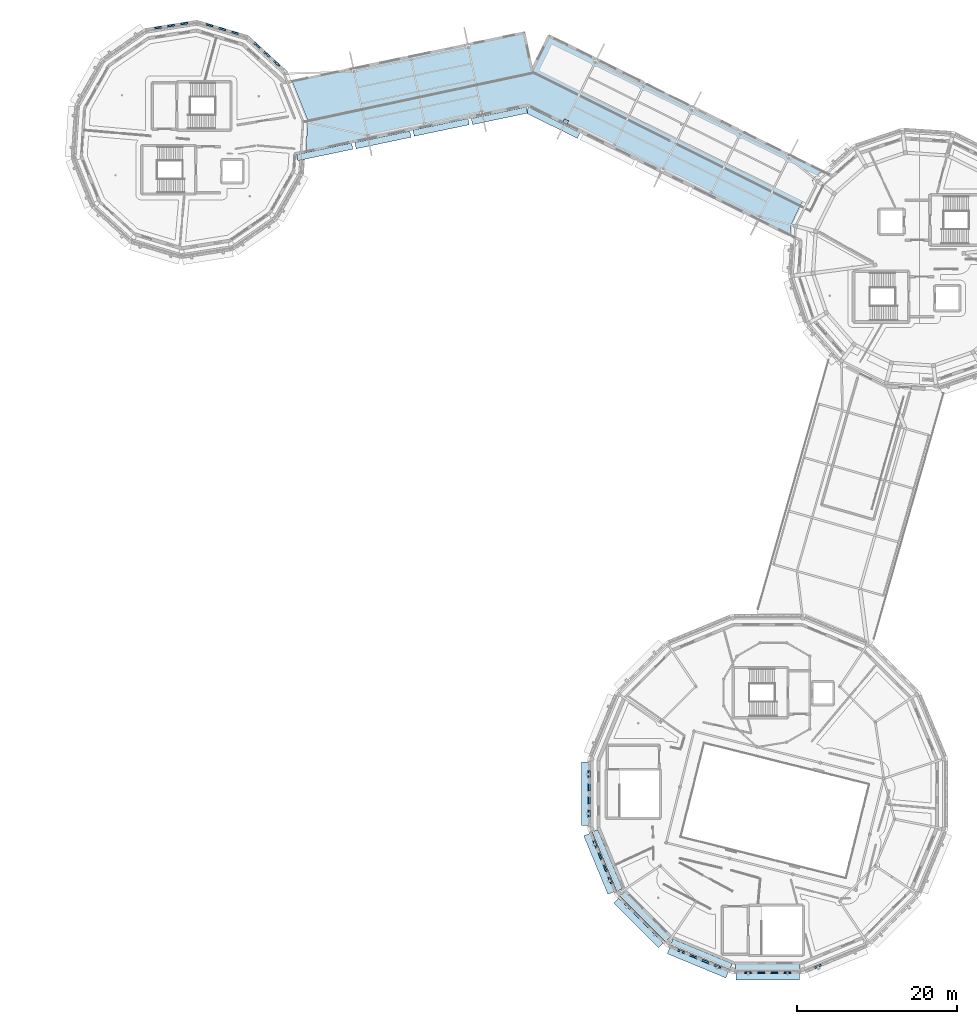
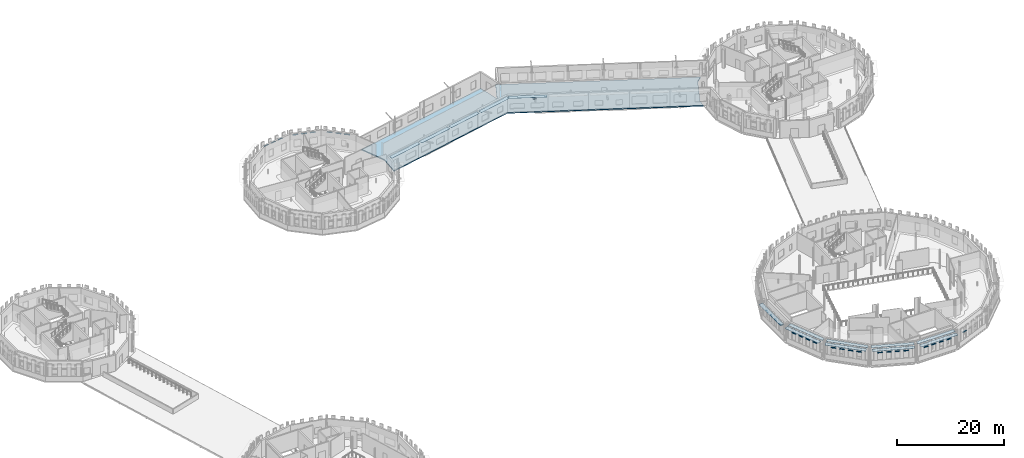
# One storey, part 26 of 68: 45 plates, 1 slab.
"""IFC4 building model written with IfcOpenShell, lengths in metres."""

from ifc_helpers import new_model, si_unit, direction, frame, origin, origin_2d, place, context, subcontext, project, spatial, polyline, rectangle, outline, extrude, material, layer, layer_set, type_object, element, save


model = new_model("IFC4")

# Units and contexts
model_context = context("Model", 3, precision=1e-05, world=origin(), true_north=direction((0.0, 1.0)))
body_context = subcontext(model_context, "Body", "Model", "MODEL_VIEW")
ifc_project = project(units=[si_unit("LENGTHUNIT", "METRE"), si_unit("AREAUNIT", "SQUARE_METRE"), si_unit("VOLUMEUNIT", "CUBIC_METRE"), si_unit("PLANEANGLEUNIT", "RADIAN"), si_unit("MASSUNIT", "GRAM", prefix="KILO")], contexts=[model_context])

# Site, building, storey
site_placement = place(None, origin())
site = spatial("IfcSite", under=ifc_project, at=site_placement, CompositionType="ELEMENT")
building_placement = place(site_placement, origin())
building = spatial("IfcBuilding", under=site, at=building_placement, Name="Wrenclough Park School", CompositionType="ELEMENT")
storey_placement = place(building_placement, frame((0.0, 0.0, 12.60009765625)))
storey = spatial("IfcBuildingStorey", under=building, at=storey_placement, Name="L03", CompositionType="ELEMENT", Elevation=12.60009765625)

# Plates
ifc_material_1 = material(Name="Anodised architectural aluminium solar shading fin plate", Category="aluminium")
ifc_layer_1 = layer(ifc_material_1, 0.0380859375)
ifc_layer_set_1 = layer_set([ifc_layer_1], Name="Anodised architectural aluminium solar shading fin plate")
plate_type_1 = type_object("IfcPlateType", Name="ENV-PL-BSF", PredefinedType="SHEET", material=ifc_layer_set_1)
for number, where, z_axis, x_axis, name in (
    (1, (133.121826171875, 28.968994140625, 2.721923828125), (0.0, 0.0, 1.0), (0.0, -1.0, 0.0), "D1 L03 open-bond brick screen tie band 0485"),
    (2, (133.121826171875, 27.322998046875, 2.721923828125), (0.0, 0.0, 1.0), (0.0, -1.0, 0.0), "D1 L03 open-bond brick screen tie band 0486"),
    (3, (133.121826171875, 25.677001953125, 2.721923828125), (0.0, 0.0, 1.0), (0.0, -1.0, 0.0), "D1 L03 open-bond brick screen tie band 0487"),
    (4, (133.121826171875, 24.031005859375, 2.721923828125), (0.0, 0.0, 1.0), (0.0, -1.0, 0.0), "D1 L03 open-bond brick screen tie band 0488"),
):
    element("IfcPlate", number, at=place(storey_placement, frame(where, z_axis=z_axis, x_axis=x_axis)), inside=storey, type_object=plate_type_1, Name=name, PredefinedType="SHEET", context=body_context, shape_type="SweptSolid", body=[
        extrude(rectangle(XDim=1.0048828125, YDim=0.219970703125, at=origin_2d()), origin(), (0.0, 0.0, 1.0), 0.0419921875),
    ])
plate_1_placement = place(storey_placement, frame((132.6044921875, 26.5, 3.700927734375), z_axis=(0.0, 0.0, 1.0), x_axis=(0.0, -1.0, 0.0)))
element("IfcPlate", 5, at=plate_1_placement, inside=storey, type_object=plate_type_1, Name="D1 L03 sun-side projecting brise-soleil blade 0081", PredefinedType="SHEET", context=body_context, shape_type="SweptSolid", body=[
    extrude(rectangle(XDim=7.929931640625, YDim=0.85009765625, at=origin_2d()), origin(), (0.0, 0.0, 1.0), 0.0380859375),
])
for number, where, z_axis, x_axis, name in (
    (6, (133.880615234375, 20.21728515625, 2.721923828125), (0.0, 0.0, 1.0), (0.382684471717, -0.923879101997, 0.0), "D1 L03 open-bond brick screen tie band 0489"),
    (7, (134.510498046875, 18.696533203125, 2.721923828125), (0.0, 0.0, 1.0), (0.382684471717, -0.923879101997, 0.0), "D1 L03 open-bond brick screen tie band 0490"),
    (8, (135.140380859375, 17.17578125, 2.721923828125), (0.0, 0.0, 1.0), (0.382684471717, -0.923879101997, 0.0), "D1 L03 open-bond brick screen tie band 0491"),
    (9, (135.770263671875, 15.655029296875, 2.721923828125), (0.0, 0.0, 1.0), (0.382684471717, -0.923879101997, 0.0), "D1 L03 open-bond brick screen tie band 0492"),
):
    element("IfcPlate", number, at=place(storey_placement, frame(where, z_axis=z_axis, x_axis=x_axis)), inside=storey, type_object=plate_type_1, Name=name, PredefinedType="SHEET", context=body_context, shape_type="SweptSolid", body=[
        extrude(rectangle(XDim=1.0048828125, YDim=0.219970703125, at=origin_2d()), origin(), (0.0, 0.0, 1.0), 0.0419921875),
    ])
plate_2_placement = place(storey_placement, frame((134.347412109375, 17.738037109375, 3.700927734375), z_axis=(0.0, 0.0, 1.0), x_axis=(0.382684471717, -0.923879101997, 0.0)))
element("IfcPlate", 10, at=plate_2_placement, inside=storey, type_object=plate_type_1, Name="D1 L03 sun-side projecting brise-soleil blade 0082", PredefinedType="SHEET", context=body_context, shape_type="SweptSolid", body=[
    extrude(rectangle(XDim=7.9296875, YDim=0.85009765625, at=origin_2d()), origin(), (0.0, 0.0, 1.0), 0.0380859375),
])
for number, where, z_axis, x_axis, name in (
    (11, (137.930419921875, 12.422119140625, 2.721923828125), (0.0, 0.0, 1.0), (0.707106781187, -0.707106781187, 0.0), "D1 L03 open-bond brick screen tie band 0493"),
    (12, (139.094482421875, 11.25830078125, 2.721923828125), (0.0, 0.0, 1.0), (0.707106781187, -0.707106781187, 0.0), "D1 L03 open-bond brick screen tie band 0494"),
    (13, (140.25830078125, 10.094482421875, 2.721923828125), (0.0, 0.0, 1.0), (0.707106781187, -0.707106781187, 0.0), "D1 L03 open-bond brick screen tie band 0495"),
    (14, (141.422119140625, 8.9306640625, 2.721923828125), (0.0, 0.0, 1.0), (0.707106781187, -0.707106781187, 0.0), "D1 L03 open-bond brick screen tie band 0496"),
):
    element("IfcPlate", number, at=place(storey_placement, frame(where, z_axis=z_axis, x_axis=x_axis)), inside=storey, type_object=plate_type_1, Name=name, PredefinedType="SHEET", context=body_context, shape_type="SweptSolid", body=[
        extrude(rectangle(XDim=1.0048828125, YDim=0.219970703125, at=origin_2d()), origin(), (0.0, 0.0, 1.0), 0.0419921875),
    ])
plate_3_placement = place(storey_placement, frame((139.310302734375, 10.310302734375, 3.700927734375), z_axis=(0.0, 0.0, 1.0), x_axis=(0.707106781187, -0.707106781187, 0.0)))
element("IfcPlate", 15, at=plate_3_placement, inside=storey, type_object=plate_type_1, Name="D1 L03 sun-side projecting brise-soleil blade 0083", PredefinedType="SHEET", context=body_context, shape_type="SweptSolid", body=[
    extrude(rectangle(XDim=7.9296875, YDim=0.85009765625, at=origin_2d()), origin(), (0.0, 0.0, 1.0), 0.0380859375),
])
for number, where, z_axis, x_axis, name in (
    (16, (144.655029296875, 6.770263671875, 2.721923828125), (0.0, 0.0, 1.0), (0.923879101997, -0.382684471717, 0.0), "D1 L03 open-bond brick screen tie band 0497"),
    (17, (146.17578125, 6.140380859375, 2.721923828125), (0.0, 0.0, 1.0), (0.923879101997, -0.382684471717, 0.0), "D1 L03 open-bond brick screen tie band 0498"),
    (18, (147.696533203125, 5.510498046875, 2.721923828125), (0.0, 0.0, 1.0), (0.923879101997, -0.382684471717, 0.0), "D1 L03 open-bond brick screen tie band 0499"),
    (19, (149.21728515625, 4.880615234375, 2.721923828125), (0.0, 0.0, 1.0), (0.923879101997, -0.382684471717, 0.0), "D1 L03 open-bond brick screen tie band 0500"),
):
    element("IfcPlate", number, at=place(storey_placement, frame(where, z_axis=z_axis, x_axis=x_axis)), inside=storey, type_object=plate_type_1, Name=name, PredefinedType="SHEET", context=body_context, shape_type="SweptSolid", body=[
        extrude(rectangle(XDim=1.0048828125, YDim=0.219970703125, at=origin_2d()), origin(), (0.0, 0.0, 1.0), 0.0419921875),
    ])
plate_4_placement = place(storey_placement, frame((146.738037109375, 5.347412109375, 3.700927734375), z_axis=(0.0, 0.0, 1.0), x_axis=(0.923879101997, -0.382684471717, 0.0)))
element("IfcPlate", 20, at=plate_4_placement, inside=storey, type_object=plate_type_1, Name="D1 L03 sun-side projecting brise-soleil blade 0084", PredefinedType="SHEET", context=body_context, shape_type="SweptSolid", body=[
    extrude(rectangle(XDim=7.9296875, YDim=0.85009765625, at=origin_2d()), origin(), (0.0, 0.0, 1.0), 0.0380859375),
])
for number, where, z_axis, x_axis, name in (
    (21, (153.031005859375, 4.121826171875, 2.721923828125), (0.0, 0.0, 1.0), (1.0, 0.0, 0.0), "D1 L03 open-bond brick screen tie band 0501"),
    (22, (154.677001953125, 4.121826171875, 2.721923828125), (0.0, 0.0, 1.0), (1.0, 0.0, 0.0), "D1 L03 open-bond brick screen tie band 0502"),
    (23, (156.322998046875, 4.121826171875, 2.721923828125), (0.0, 0.0, 1.0), (1.0, 0.0, 0.0), "D1 L03 open-bond brick screen tie band 0503"),
    (24, (157.968994140625, 4.121826171875, 2.721923828125), (0.0, 0.0, 1.0), (1.0, 0.0, 0.0), "D1 L03 open-bond brick screen tie band 0504"),
):
    element("IfcPlate", number, at=place(storey_placement, frame(where, z_axis=z_axis, x_axis=x_axis)), inside=storey, type_object=plate_type_1, Name=name, PredefinedType="SHEET", context=body_context, shape_type="SweptSolid", body=[
        extrude(rectangle(XDim=1.0048828125, YDim=0.219970703125, at=origin_2d()), origin(), (0.0, 0.0, 1.0), 0.0419921875),
    ])
plate_5_placement = place(storey_placement, frame((155.5, 3.6044921875, 3.700927734375), z_axis=(0.0, 0.0, 1.0), x_axis=(1.0, 0.0, 0.0)))
element("IfcPlate", 25, at=plate_5_placement, inside=storey, type_object=plate_type_1, Name="D1 L03 sun-side projecting brise-soleil blade 0085", PredefinedType="SHEET", context=body_context, shape_type="SweptSolid", body=[
    extrude(rectangle(XDim=7.929931640625, YDim=0.85009765625, at=origin_2d()), origin(), (0.0, 0.0, 1.0), 0.0380859375),
])
plate_6_placement = place(storey_placement, frame((161.78271484375, 4.880615234375, 2.721923828125), z_axis=(0.0, 0.0, 1.0), x_axis=(0.923879101997, 0.382684471717, 0.0)))
element("IfcPlate", 26, at=plate_6_placement, inside=storey, type_object=plate_type_1, Name="D1 L03 open-bond brick screen tie band 0505", PredefinedType="SHEET", context=body_context, shape_type="SweptSolid", body=[
    extrude(rectangle(XDim=1.0048828125, YDim=0.219970703125, at=origin_2d()), origin(), (0.0, 0.0, 1.0), 0.0419921875),
])
plate_7_placement = place(storey_placement, frame((93.976806640625, 118.035400390625, 2.721923828125), z_axis=(0.0, 0.0, 1.0), x_axis=(-0.738122161547, 0.674667084296, 0.0)))
element("IfcPlate", 27, at=plate_7_placement, inside=storey, type_object=plate_type_1, Name="D4 L03 open-bond brick screen tie band 0593", PredefinedType="SHEET", context=body_context, shape_type="SweptSolid", body=[
    extrude(rectangle(XDim=1.01806640625, YDim=0.219970703125, at=origin_2d()), origin(), (0.0, 0.0, 1.0), 0.0419921875),
])
plate_8_placement = place(storey_placement, frame((92.744873046875, 119.161376953125, 2.721923828125), z_axis=(0.0, 0.0, 1.0), x_axis=(-0.738122161547, 0.674667084296, 0.0)))
element("IfcPlate", 28, at=plate_8_placement, inside=storey, type_object=plate_type_1, Name="D4 L03 open-bond brick screen tie band 0594", PredefinedType="SHEET", context=body_context, shape_type="SweptSolid", body=[
    extrude(rectangle(XDim=1.017822265625, YDim=0.219970703125, at=origin_2d()), origin(), (0.0, 0.0, 1.0), 0.0419921875),
])
plate_9_placement = place(storey_placement, frame((91.512939453125, 120.287353515625, 2.721923828125), z_axis=(0.0, 0.0, 1.0), x_axis=(-0.738122161547, 0.674667084296, 0.0)))
element("IfcPlate", 29, at=plate_9_placement, inside=storey, type_object=plate_type_1, Name="D4 L03 open-bond brick screen tie band 0595", PredefinedType="SHEET", context=body_context, shape_type="SweptSolid", body=[
    extrude(rectangle(XDim=1.01806640625, YDim=0.219970703125, at=origin_2d()), origin(), (0.0, 0.0, 1.0), 0.0419921875),
])
for number, where, z_axis, x_axis, name in (
    (30, (88.75244140625, 121.853759765625, 2.721923828125), (0.0, 0.0, 1.0), (-0.957751215921, 0.287597997911, 0.0), "D4 L03 open-bond brick screen tie band 0596"),
    (31, (87.154052734375, 122.333740234375, 2.721923828125), (0.0, 0.0, 1.0), (-0.957751215921, 0.287597997911, 0.0), "D4 L03 open-bond brick screen tie band 0597"),
    (32, (85.5556640625, 122.813720703125, 2.721923828125), (0.0, 0.0, 1.0), (-0.957751215921, 0.287597997911, 0.0), "D4 L03 open-bond brick screen tie band 0598"),
    (33, (82.388916015625, 123.027099609375, 2.721923828125), (0.0, 0.0, 1.0), (-0.98768815471, -0.156435638666, 0.0), "D4 L03 open-bond brick screen tie band 0599"),
    (34, (80.740478515625, 122.76611328125, 2.721923828125), (0.0, 0.0, 1.0), (-0.98768815471, -0.156435638666, 0.0), "D4 L03 open-bond brick screen tie band 0600"),
    (35, (79.09228515625, 122.5048828125, 2.721923828125), (0.0, 0.0, 1.0), (-0.98768815471, -0.156435638666, 0.0), "D4 L03 open-bond brick screen tie band 0601"),
):
    element("IfcPlate", number, at=place(storey_placement, frame(where, z_axis=z_axis, x_axis=x_axis)), inside=storey, type_object=plate_type_1, Name=name, PredefinedType="SHEET", context=body_context, shape_type="SweptSolid", body=[
        extrude(rectangle(XDim=1.017822265625, YDim=0.219970703125, at=origin_2d()), origin(), (0.0, 0.0, 1.0), 0.0419921875),
    ])
plate_10_placement = place(storey_placement, frame((128.572265625, 110.592529296875, 3.720947265625), z_axis=(0.0, 0.0, 1.0), x_axis=(-0.89626516888, 0.443518598316, 0.0)))
element("IfcPlate", 36, at=plate_10_placement, inside=storey, type_object=plate_type_1, Name="L03 link wing sun-side brise-soleil blade 0211", PredefinedType="SHEET", context=body_context, shape_type="SweptSolid", body=[
    extrude(rectangle(XDim=7.23974609375, YDim=0.800048828125, at=origin_2d()), origin(), (0.0, 0.0, 1.0), 0.0380859375),
])
for number, where, z_axis, x_axis, name in (
    (37, (121.8759765625, 111.464599609375, 3.720947265625), (0.0, 0.0, 1.0), (-0.97878931036, -0.204869436288, 0.0), "L03 link wing sun-side brise-soleil blade 0212"),
    (38, (114.57080078125, 110.01220703125, 3.720947265625), (0.0, 0.0, 1.0), (-0.978792566191, -0.204853880532, 0.0), "L03 link wing sun-side brise-soleil blade 0213"),
    (39, (107.290283203125, 108.4423828125, 3.720947265625), (0.0, 0.0, 1.0), (-0.97878931036, -0.204869436288, 0.0), "L03 link wing sun-side brise-soleil blade 0214"),
    (40, (99.993896484375, 106.948486328125, 3.720947265625), (0.0, 0.0, 1.0), (-0.97878931036, -0.204869436288, 0.0), "L03 link wing sun-side brise-soleil blade 0215"),
):
    element("IfcPlate", number, at=place(storey_placement, frame(where, z_axis=z_axis, x_axis=x_axis)), inside=storey, type_object=plate_type_1, Name=name, PredefinedType="SHEET", context=body_context, shape_type="SweptSolid", body=[
        extrude(rectangle(XDim=7.047607421875, YDim=0.800048828125, at=origin_2d()), origin(), (0.0, 0.0, 1.0), 0.0380859375),
    ])
for number, where, z_axis, x_axis, name in (
    (41, (155.5, 4.767822265625, 3.720947265625), (0.0, 0.0, 1.0), (-1.0, 0.0, 0.0), "L03 link wing sun-side brise-soleil blade 0226"),
    (42, (147.1787109375, 6.41064453125, 3.720947265625), (0.0, 0.0, 1.0), (-0.923880923331, 0.382680074611, 0.0), "L03 link wing sun-side brise-soleil blade 0227"),
):
    element("IfcPlate", number, at=place(storey_placement, frame(where, z_axis=z_axis, x_axis=x_axis)), inside=storey, type_object=plate_type_1, Name=name, PredefinedType="SHEET", context=body_context, shape_type="SweptSolid", body=[
        extrude(rectangle(XDim=8.03857421875, YDim=0.800048828125, at=origin_2d()), origin(), (0.0, 0.0, 1.0), 0.0380859375),
    ])
plate_11_placement = place(storey_placement, frame((140.115478515625, 11.115478515625, 3.720947265625), z_axis=(0.0, 0.0, 1.0), x_axis=(-0.707106781187, 0.707106781187, 0.0)))
element("IfcPlate", 43, at=plate_11_placement, inside=storey, type_object=plate_type_1, Name="L03 link wing sun-side brise-soleil blade 0228", PredefinedType="SHEET", context=body_context, shape_type="SweptSolid", body=[
    extrude(rectangle(XDim=8.038818359375, YDim=0.800048828125, at=origin_2d()), origin(), (0.0, 0.0, 1.0), 0.0380859375),
])
plate_12_placement = place(storey_placement, frame((135.38525390625, 18.168212890625, 3.720947265625), z_axis=(0.0, 0.0, 1.0), x_axis=(-0.382680074611, 0.923880923331, 0.0)))
element("IfcPlate", 44, at=plate_12_placement, inside=storey, type_object=plate_type_1, Name="L03 link wing sun-side brise-soleil blade 0229", PredefinedType="SHEET", context=body_context, shape_type="SweptSolid", body=[
    extrude(rectangle(XDim=8.03857421875, YDim=0.800048828125, at=origin_2d()), origin(), (0.0, 0.0, 1.0), 0.0380859375),
])
ifc_material_2 = material(Name="Structural steel S355", Category="steel")
ifc_layer_2 = layer(ifc_material_2, 0.028076171875)
ifc_layer_set_2 = layer_set([ifc_layer_2], Name="Structural steel S355")
plate_type_2 = type_object("IfcPlateType", Name="STR-PL-KN3", PredefinedType="USERDEFINED", material=ifc_layer_set_2)
plate_13_placement = place(storey_placement, frame((130.200439453125, 110.73681640625, 2.73583984375), z_axis=(0.0, 0.0, 1.0), x_axis=(0.896267529063, -0.443513828811, 0.0)))
element("IfcPlate", 45, at=plate_13_placement, inside=storey, type_object=plate_type_2, Name="W45 eave knee-brace gusset plate 16", ObjectType="GUSSET PLATE", PredefinedType="USERDEFINED", context=body_context, shape_type="SweptSolid", body=[
    extrude(rectangle(XDim=0.60009765625, YDim=0.5, at=origin_2d()), origin(), (0.0, 0.0, 1.0), 0.028076171875),
])

# Slab
ifc_material_3 = material(Name="Concrete C32/40", Category="concrete")
ifc_layer_3 = layer(ifc_material_3, 0.239990234375)
ifc_layer_set_3 = layer_set([ifc_layer_3], Name="Concrete C32/40")
slab_type = type_object("IfcSlabType", Name="STR-SL-FL240", PredefinedType="FLOOR", material=ifc_layer_set_3)
slab_placement = place(storey_placement, frame((0.0, 0.0, -0.239990234375)))
element("IfcSlab", 46, at=slab_placement, inside=storey, type_object=slab_type, Name="W45 L03 structural slab SLAB-W45-L03", PredefinedType="FLOOR", context=body_context, shape_type="SweptSolid", body=[
    extrude(outline(polyline([(125.385498046875, 112.671630859375), (158.322265625, 96.373046875), (158.418701171875, 97.81396484375), (161.285400390625, 103.62744140625), (162.4072265625, 104.616455078125), (128.040283203125, 121.622802734375), (126.0, 117.5), (125.0576171875, 122.00244140625), (95.8466796875, 115.888427734375), (97.8642578125, 110.8564453125), (97.596435546875, 106.855224609375), (125.385498046875, 112.671630859375)])), origin(), (0.0, 0.0, 1.0), 0.239990234375),
])

save(model, "model.ifc")
